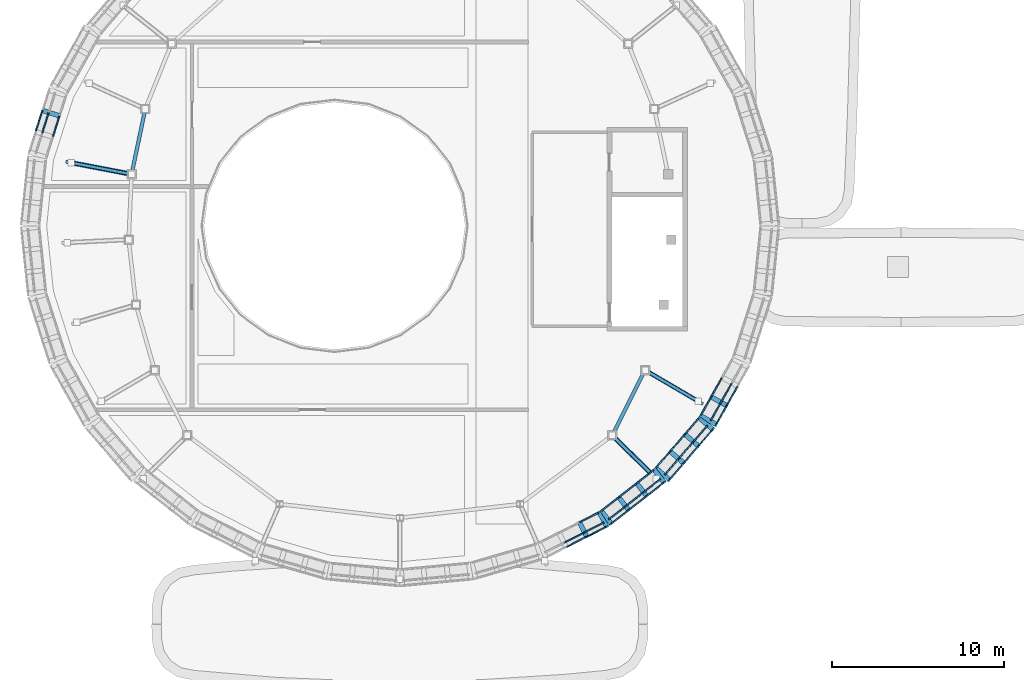
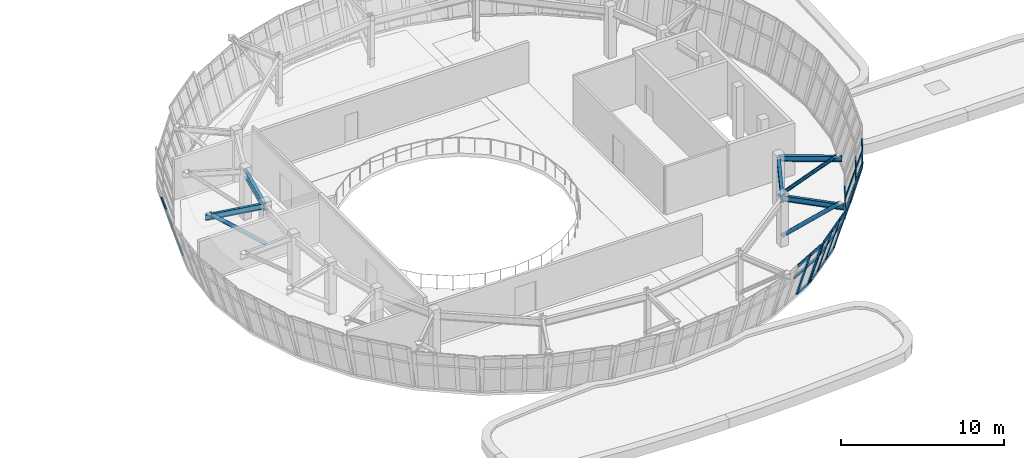
# One storey, part 21 of 111: 48 members, 5 beams, 5 elements without a shape of their own.
"""IFC4 building model written with IfcOpenShell, lengths in metres."""

from ifc_helpers import new_model, si_unit, direction, frame, origin, origin_2d, place, context, subcontext, project, spatial, rectangle, hollow_circle, i_section, extrude, material, material_profile, profile_set, type_object, element, aggregate, save


model = new_model("IFC4")

# Units and contexts
model_context = context("Model", 3, precision=1e-05, world=origin(), true_north=direction((0.0, 1.0)))
body_context = subcontext(model_context, "Body", "Model", "MODEL_VIEW")
ifc_project = project(units=[si_unit("LENGTHUNIT", "METRE"), si_unit("AREAUNIT", "SQUARE_METRE"), si_unit("VOLUMEUNIT", "CUBIC_METRE"), si_unit("PLANEANGLEUNIT", "RADIAN"), si_unit("MASSUNIT", "GRAM", prefix="KILO")], contexts=[model_context])

# Site, building, storey
site_placement = place(None, origin())
site = spatial("IfcSite", under=ifc_project, at=site_placement, CompositionType="ELEMENT")
building_placement = place(site_placement, origin())
building = spatial("IfcBuilding", under=site, at=building_placement, Name="Corveleigh Park Community Centre", CompositionType="ELEMENT")
storey_placement = place(building_placement, frame((0.0, 0.0, 4.800048828125)))
storey = spatial("IfcBuildingStorey", under=building, at=storey_placement, Name="L01", CompositionType="ELEMENT", Elevation=4.800048828125)

# Beams
ifc_material_1 = material(Name="Steel S355", Category="steel")
ifc_material_profile_1 = material_profile(ifc_material_1, i_section(OverallWidth=0.1787109375, OverallDepth=0.409423828125, WebThickness=0.0087890625, FlangeThickness=0.014404296875, at=origin_2d()), Name="UKB 406x178x67", Category="steel")
ifc_profile_set_1 = profile_set([ifc_material_profile_1], Name="Steel S355")
beam_type_1 = type_object("IfcBeamType", Name="BM-STL-UKB406x67", PredefinedType="BEAM", material=ifc_profile_set_1)
beam_1_placement = place(storey_placement, frame((43.373046875, 15.39306640625, 3.482177734375), z_axis=(0.713355146879, -0.700802707202, 0.0), x_axis=(0.700802707202, 0.713355146879, 0.0)))
element("IfcBeam", 1, at=beam_1_placement, inside=storey, type_object=beam_type_1, Name="V1 Drum Overhang Radial Outrigger 4", PredefinedType="BEAM", context=body_context, shape_type="SweptSolid", body=[
    extrude(i_section(OverallWidth=0.1787109375, OverallDepth=0.409423828125, WebThickness=0.0087890625, FlangeThickness=0.014404296875, at=origin_2d()), origin(), (0.0, 0.0, 1.0), 3.889892578125),
])
beam_2_placement = place(storey_placement, frame((45.28369140625, 19.19482421875, 3.482177734375), z_axis=(0.862768775494, -0.505598694652, 0.0), x_axis=(0.505598694652, 0.862768775494, 0.0)))
element("IfcBeam", 2, at=beam_2_placement, inside=storey, type_object=beam_type_1, Name="V1 Drum Overhang Radial Outrigger 5", PredefinedType="BEAM", context=body_context, shape_type="SweptSolid", body=[
    extrude(i_section(OverallWidth=0.1787109375, OverallDepth=0.409423828125, WebThickness=0.0087890625, FlangeThickness=0.014404296875, at=origin_2d()), origin(), (0.0, 0.0, 1.0), 3.89013671875),
])
beam_3_placement = place(storey_placement, frame((15.376220703125, 30.601806640625, 3.482177734375), z_axis=(-0.982171715723, 0.187985959138, 0.0), x_axis=(-0.187985959138, -0.982171715723, 0.0)))
element("IfcBeam", 3, at=beam_3_placement, inside=storey, type_object=beam_type_1, Name="V1 Drum Overhang Radial Outrigger 16", PredefinedType="BEAM", context=body_context, shape_type="SweptSolid", body=[
    extrude(i_section(OverallWidth=0.1787109375, OverallDepth=0.409423828125, WebThickness=0.0087890625, FlangeThickness=0.014404296875, at=origin_2d()), origin(), (0.0, 0.0, 1.0), 3.8896484375),
])
ifc_material_profile_2 = material_profile(ifc_material_1, i_section(OverallWidth=0.210693359375, OverallDepth=0.53955078125, WebThickness=0.01171875, FlangeThickness=0.018798828125, at=origin_2d()), Name="UKB 533x210x109", Category="steel")
ifc_profile_set_2 = profile_set([ifc_material_profile_2], Name="Steel S355")
beam_type_2 = type_object("IfcBeamType", Name="BM-STL-UKB533x109", PredefinedType="BEAM", material=ifc_profile_set_2)
beam_4_placement = place(storey_placement, frame((43.3681640625, 15.404541015625, 3.34228515625), z_axis=(0.448916145361, 0.893573888626, 0.0), x_axis=(-0.893573888626, 0.448916145361, 0.0)))
element("IfcBeam", 4, at=beam_4_placement, inside=storey, type_object=beam_type_2, Name="V1 Drum Ring Girder", PredefinedType="BEAM", context=body_context, shape_type="SweptSolid", body=[
    extrude(i_section(OverallWidth=0.210693359375, OverallDepth=0.53955078125, WebThickness=0.01171875, FlangeThickness=0.018798828125, at=origin_2d()), origin(), (0.0, 0.0, 1.0), 4.242431640625),
])
beam_5_placement = place(storey_placement, frame((16.179931640625, 34.39501953125, 3.34228515625), z_axis=(-0.204790105702, -0.978805911612, 0.0), x_axis=(0.978805911612, -0.204790105702, 0.0)))
element("IfcBeam", 5, at=beam_5_placement, inside=storey, type_object=beam_type_2, Name="V1 Drum Ring Girder", PredefinedType="BEAM", context=body_context, shape_type="SweptSolid", body=[
    extrude(i_section(OverallWidth=0.210693359375, OverallDepth=0.53955078125, WebThickness=0.01171875, FlangeThickness=0.018798828125, at=origin_2d()), origin(), (0.0, 0.0, 1.0), 3.8720703125),
])

# Curtain wall, member
ifc_material_2 = material(Name="Anodised aluminium 6063-T6", Category="aluminium")
curtain_wall_type = type_object("IfcCurtainWallType", Name="CW-SYS-V1-DRUM", PredefinedType="NOTDEFINED", material=ifc_material_2)
curtain_wall_1_placement = place(storey_placement, origin())
curtain_wall_1 = element("IfcCurtainWall", 6, at=curtain_wall_1_placement, inside=storey, type_object=curtain_wall_type, Name="Main Hall Flared Drum CW 176", PredefinedType="NOTDEFINED")
ifc_material_profile_3 = material_profile(ifc_material_2, rectangle(XDim=0.0849609375, YDim=0.27490234375, at=origin_2d()), Name="ALU-M85x275", Category="aluminium")
ifc_profile_set_3 = profile_set([ifc_material_profile_3], Name="Anodised aluminium 6063-T6")
member_type_1 = type_object("IfcMemberType", Name="CWM-85x275", PredefinedType="MULLION", material=ifc_profile_set_3)
member_1_placement = place(storey_placement, frame((11.197998046875, 33.995361328125, 0.0), z_axis=(-0.270633081512, 0.086193007282, 0.958816197551), x_axis=(0.913600188234, -0.290969408609, 0.284027286212)))
member_1 = element("IfcMember", 7, at=member_1_placement, type_object=member_type_1, Name="CW02 mullion 2", PredefinedType="MULLION", context=body_context, shape_type="SweptSolid", body=[
    extrude(rectangle(XDim=0.0849609375, YDim=0.27490234375, at=origin_2d()), origin(), (0.0, 0.0, 1.0), 3.76708984375),
])

# Curtain wall, members
curtain_wall_2_placement = place(storey_placement, origin())
curtain_wall_2 = element("IfcCurtainWall", 8, at=curtain_wall_2_placement, inside=storey, type_object=curtain_wall_type, Name="Main Hall Flared Drum CW 188", PredefinedType="NOTDEFINED")
member_2_placement = place(storey_placement, frame((41.44921875, 10.35107421875, 0.0), z_axis=(0.128877189627, -0.253023625909, 0.958837689458), x_axis=(-0.435183134097, 0.854391803872, 0.283954723987)))
member_2 = element("IfcMember", 9, at=member_2_placement, type_object=member_type_1, Name="CW02 mullion 3", PredefinedType="MULLION", context=body_context, shape_type="SweptSolid", body=[
    extrude(rectangle(XDim=0.0849609375, YDim=0.27490234375, at=origin_2d()), origin(), (0.0, 0.0, 1.0), 3.406005859375),
])
member_3_placement = place(storey_placement, frame((42.607177734375, 10.940673828125, 0.0), z_axis=(0.128809036941, -0.252958871099, 0.958863932753), x_axis=(-0.43510071475, 0.85446322891, 0.283866092489)))
member_3 = element("IfcMember", 10, at=member_3_placement, type_object=member_type_1, Name="CW02 mullion 4", PredefinedType="MULLION", context=body_context, shape_type="SweptSolid", body=[
    extrude(rectangle(XDim=0.0849609375, YDim=0.27490234375, at=origin_2d()), origin(), (0.0, 0.0, 1.0), 3.406005859375),
])

curtain_wall_3_placement = place(storey_placement, origin())
curtain_wall_3 = element("IfcCurtainWall", 11, at=curtain_wall_3_placement, inside=storey, type_object=curtain_wall_type, Name="Main Hall Flared Drum CW 189", PredefinedType="NOTDEFINED")
member_4_placement = place(storey_placement, frame((42.720458984375, 11.01220703125, 0.0), z_axis=(0.17482478956, -0.223709786067, 0.95884838456), x_axis=(-0.59041733402, 0.755511479901, 0.283918607045)))
member_4 = element("IfcMember", 12, at=member_4_placement, type_object=member_type_1, Name="CW02 mullion 1", PredefinedType="MULLION", context=body_context, shape_type="SweptSolid", body=[
    extrude(rectangle(XDim=0.0849609375, YDim=0.27490234375, at=origin_2d()), origin(), (0.0, 0.0, 1.0), 3.406005859375),
])
member_5_placement = place(storey_placement, frame((43.734375, 11.8046875, 0.0), z_axis=(0.17482478956, -0.223709786067, 0.95884838456), x_axis=(-0.59041733402, 0.755511479901, 0.283918607045)))
member_5 = element("IfcMember", 13, at=member_5_placement, type_object=member_type_1, Name="CW02 mullion 2", PredefinedType="MULLION", context=body_context, shape_type="SweptSolid", body=[
    extrude(rectangle(XDim=0.0849609375, YDim=0.27490234375, at=origin_2d()), origin(), (0.0, 0.0, 1.0), 3.406005859375),
])
member_6_placement = place(storey_placement, frame((44.78173828125, 12.623291015625, 0.0), z_axis=(0.17482759254, -0.223641692795, 0.958863757856), x_axis=(-0.590544266874, 0.755431780503, 0.283866683268)))
member_6 = element("IfcMember", 14, at=member_6_placement, type_object=member_type_1, Name="CW02 mullion 3", PredefinedType="MULLION", context=body_context, shape_type="SweptSolid", body=[
    extrude(rectangle(XDim=0.0849609375, YDim=0.27490234375, at=origin_2d()), origin(), (0.0, 0.0, 1.0), 3.406005859375),
])
member_7_placement = place(storey_placement, frame((45.79541015625, 13.415771484375, 0.0), z_axis=(0.174897080386, -0.223638889674, 0.958851739477), x_axis=(-0.59068711366, 0.755304833861, 0.283907276592)))
member_7 = element("IfcMember", 15, at=member_7_placement, type_object=member_type_1, Name="CW02 mullion 4", PredefinedType="MULLION", context=body_context, shape_type="SweptSolid", body=[
    extrude(rectangle(XDim=0.0849609375, YDim=0.27490234375, at=origin_2d()), origin(), (0.0, 0.0, 1.0), 3.406005859375),
])

curtain_wall_4_placement = place(storey_placement, origin())
curtain_wall_4 = element("IfcCurtainWall", 16, at=curtain_wall_4_placement, inside=storey, type_object=curtain_wall_type, Name="Main Hall Flared Drum CW 190", PredefinedType="NOTDEFINED")
member_8_placement = place(storey_placement, frame((45.893798828125, 13.51025390625, 0.0), z_axis=(0.215155968632, -0.185474813923, 0.958804986721), x_axis=(-0.726215908551, 0.626033111528, 0.284065128867)))
member_8 = element("IfcMember", 17, at=member_8_placement, type_object=member_type_1, Name="CW02 mullion 1", PredefinedType="MULLION", context=body_context, shape_type="SweptSolid", body=[
    extrude(rectangle(XDim=0.0849609375, YDim=0.27490234375, at=origin_2d()), origin(), (0.0, 0.0, 1.0), 3.767333984375),
])
member_9_placement = place(storey_placement, frame((46.725341796875, 14.47509765625, 0.0), z_axis=(0.215155968632, -0.185474813923, 0.958804986721), x_axis=(-0.726215908551, 0.626033111528, 0.284065128867)))
member_9 = element("IfcMember", 18, at=member_9_placement, type_object=member_type_1, Name="CW02 mullion 2", PredefinedType="MULLION", context=body_context, shape_type="SweptSolid", body=[
    extrude(rectangle(XDim=0.0849609375, YDim=0.27490234375, at=origin_2d()), origin(), (0.0, 0.0, 1.0), 3.767333984375),
])
member_10_placement = place(storey_placement, frame((47.584716796875, 15.471923828125, 0.0), z_axis=(0.215158554377, -0.185412236166, 0.95881650964), x_axis=(-0.726332818597, 0.625915118676, 0.284026232665)))
member_10 = element("IfcMember", 19, at=member_10_placement, type_object=member_type_1, Name="CW02 mullion 3", PredefinedType="MULLION", context=body_context, shape_type="SweptSolid", body=[
    extrude(rectangle(XDim=0.0849609375, YDim=0.27490234375, at=origin_2d()), origin(), (0.0, 0.0, 1.0), 3.76708984375),
])
member_11_placement = place(storey_placement, frame((48.416259765625, 16.436767578125, 0.0), z_axis=(0.215158554377, -0.185412236166, 0.95881650964), x_axis=(-0.726332818597, 0.625915118676, 0.284026232665)))
member_11 = element("IfcMember", 20, at=member_11_placement, type_object=member_type_1, Name="CW02 mullion 4", PredefinedType="MULLION", context=body_context, shape_type="SweptSolid", body=[
    extrude(rectangle(XDim=0.0849609375, YDim=0.27490234375, at=origin_2d()), origin(), (0.0, 0.0, 1.0), 3.76708984375),
])

curtain_wall_5_placement = place(storey_placement, origin())
curtain_wall_5 = element("IfcCurtainWall", 21, at=curtain_wall_5_placement, inside=storey, type_object=curtain_wall_type, Name="Main Hall Flared Drum CW 191", PredefinedType="NOTDEFINED")
member_12_placement = place(storey_placement, frame((48.494873046875, 16.549072265625, 0.0), z_axis=(0.247691050808, -0.139010283617, 0.958814520331), x_axis=(-0.836134602223, 0.469259215534, 0.284032948092)))
member_12 = element("IfcMember", 22, at=member_12_placement, type_object=member_type_1, Name="CW02 mullion 1", PredefinedType="MULLION", context=body_context, shape_type="SweptSolid", body=[
    extrude(rectangle(XDim=0.0849609375, YDim=0.27490234375, at=origin_2d()), origin(), (0.0, 0.0, 1.0), 3.767333984375),
])
member_13_placement = place(storey_placement, frame((49.112060546875, 17.64892578125, 0.0), z_axis=(0.247693281715, -0.138946728414, 0.958823156195), x_axis=(-0.836235497404, 0.469097045116, 0.284003794242)))
member_13 = element("IfcMember", 23, at=member_13_placement, type_object=member_type_1, Name="CW02 mullion 2", PredefinedType="MULLION", context=body_context, shape_type="SweptSolid", body=[
    extrude(rectangle(XDim=0.0849609375, YDim=0.27490234375, at=origin_2d()), origin(), (0.0, 0.0, 1.0), 3.76708984375),
])

# Member
ifc_material_profile_4 = material_profile(ifc_material_2, rectangle(XDim=0.080078125, YDim=0.195068359375, at=origin_2d()), Name="ALU-T80x195", Category="aluminium")
ifc_profile_set_4 = profile_set([ifc_material_profile_4], Name="Anodised aluminium 6063-T6")
member_type_2 = type_object("IfcMemberType", Name="CWT-80x195", PredefinedType="USERDEFINED", material=ifc_profile_set_4)
member_14_placement = place(storey_placement, frame((11.173828125, 33.95849609375, 0.0400390625), z_axis=(-0.303486826379, -0.952835634417, 0.0), x_axis=(0.952835634417, -0.303486826379, 0.0)))
member_14 = element("IfcMember", 24, at=member_14_placement, type_object=member_type_2, Name="CW02 transom 2.1", ObjectType="TRANSOM", PredefinedType="USERDEFINED", context=body_context, shape_type="SweptSolid", body=[
    extrude(rectangle(XDim=0.080078125, YDim=0.195068359375, at=origin_2d()), origin(), (0.0, 0.0, 1.0), 1.2099609375),
])

member_15_placement = place(storey_placement, frame((10.550048828125, 34.1572265625, 2.25), z_axis=(-0.303486826379, -0.952835634417, 0.0), x_axis=(0.952835634417, -0.303486826379, 0.0)))
member_15 = element("IfcMember", 25, at=member_15_placement, type_object=member_type_2, Name="CW02 transom 2.2", ObjectType="TRANSOM", PredefinedType="USERDEFINED", context=body_context, shape_type="SweptSolid", body=[
    extrude(rectangle(XDim=0.080078125, YDim=0.195068359375, at=origin_2d()), origin(), (0.0, 0.0, 1.0), 1.2099609375),
])

member_16_placement = place(storey_placement, frame((10.1767578125, 34.276123046875, 3.572021484375), z_axis=(-0.303486826379, -0.952835634417, 0.0), x_axis=(0.952835634417, -0.303486826379, 0.0)))
member_16 = element("IfcMember", 26, at=member_16_placement, type_object=member_type_2, Name="CW02 transom 2.3", ObjectType="TRANSOM", PredefinedType="USERDEFINED", context=body_context, shape_type="SweptSolid", body=[
    extrude(rectangle(XDim=0.080078125, YDim=0.195068359375, at=origin_2d()), origin(), (0.0, 0.0, 1.0), 1.2099609375),
])

aggregate(curtain_wall_1, [member_1, member_14, member_15, member_16])

member_17_placement = place(storey_placement, frame((40.593994140625, 9.167724609375, 2.25), z_axis=(0.89110027264, 0.453806461061, 0.0), x_axis=(-0.453806461061, 0.89110027264, 0.0)))
member_17 = element("IfcMember", 27, at=member_17_placement, type_object=member_type_2, Name="CW02 transom 2.2", ObjectType="TRANSOM", PredefinedType="USERDEFINED", context=body_context, shape_type="SweptSolid", body=[
    extrude(rectangle(XDim=0.080078125, YDim=0.195068359375, at=origin_2d()), origin(), (0.0, 0.0, 1.0), 1.2568359375),
])

member_18_placement = place(storey_placement, frame((40.72509765625, 8.91015625, 3.225830078125), z_axis=(0.891021707372, 0.453960699832, 0.0), x_axis=(-0.453960699832, 0.891021707372, 0.0)))
member_18 = element("IfcMember", 28, at=member_18_placement, type_object=member_type_2, Name="CW02 transom 2.3", ObjectType="TRANSOM", PredefinedType="USERDEFINED", context=body_context, shape_type="SweptSolid", body=[
    extrude(rectangle(XDim=0.080078125, YDim=0.195068359375, at=origin_2d()), origin(), (0.0, 0.0, 1.0), 1.2568359375),
])

member_19_placement = place(storey_placement, frame((41.49267578125, 10.359619140625, 0.0400390625), z_axis=(0.891024153867, 0.453955897886, 0.0), x_axis=(-0.453955897886, 0.891024153867, 0.0)))
member_19 = element("IfcMember", 29, at=member_19_placement, type_object=member_type_2, Name="CW02 transom 3.1", ObjectType="TRANSOM", PredefinedType="USERDEFINED", context=body_context, shape_type="SweptSolid", body=[
    extrude(rectangle(XDim=0.080078125, YDim=0.195068359375, at=origin_2d()), origin(), (0.0, 0.0, 1.0), 1.21435546875),
])

member_20_placement = place(storey_placement, frame((41.78955078125, 9.776611328125, 2.25), z_axis=(0.891024153867, 0.453955897886, 0.0), x_axis=(-0.453955897886, 0.891024153867, 0.0)))
member_20 = element("IfcMember", 30, at=member_20_placement, type_object=member_type_2, Name="CW02 transom 3.2", ObjectType="TRANSOM", PredefinedType="USERDEFINED", context=body_context, shape_type="SweptSolid", body=[
    extrude(rectangle(XDim=0.080078125, YDim=0.195068359375, at=origin_2d()), origin(), (0.0, 0.0, 1.0), 1.21435546875),
])

member_21_placement = place(storey_placement, frame((41.920654296875, 9.519287109375, 3.225830078125), z_axis=(0.891105466146, 0.453796262882, 0.0), x_axis=(-0.453796262882, 0.891105466146, 0.0)))
member_21 = element("IfcMember", 31, at=member_21_placement, type_object=member_type_2, Name="CW02 transom 3.3", ObjectType="TRANSOM", PredefinedType="USERDEFINED", context=body_context, shape_type="SweptSolid", body=[
    extrude(rectangle(XDim=0.080078125, YDim=0.195068359375, at=origin_2d()), origin(), (0.0, 0.0, 1.0), 1.21435546875),
])

aggregate(curtain_wall_2, [member_2, member_3, member_17, member_18, member_19, member_20, member_21])

member_22_placement = place(storey_placement, frame((42.76123046875, 11.029052734375, 0.0400390625), z_axis=(0.787972015739, 0.61571105432, 0.0), x_axis=(-0.61571105432, 0.787972015739, 0.0)))
member_22 = element("IfcMember", 32, at=member_22_placement, type_object=member_type_2, Name="CW02 transom 1.1", ObjectType="TRANSOM", PredefinedType="USERDEFINED", context=body_context, shape_type="SweptSolid", body=[
    extrude(rectangle(XDim=0.080078125, YDim=0.195068359375, at=origin_2d()), origin(), (0.0, 0.0, 1.0), 1.201904296875),
])

member_23_placement = place(storey_placement, frame((43.164306640625, 10.513427734375, 2.25), z_axis=(0.787796412937, 0.615935720481, 0.0), x_axis=(-0.615935720481, 0.787796412937, 0.0)))
member_23 = element("IfcMember", 33, at=member_23_placement, type_object=member_type_2, Name="CW02 transom 1.2", ObjectType="TRANSOM", PredefinedType="USERDEFINED", context=body_context, shape_type="SweptSolid", body=[
    extrude(rectangle(XDim=0.080078125, YDim=0.195068359375, at=origin_2d()), origin(), (0.0, 0.0, 1.0), 1.201904296875),
])

member_24_placement = place(storey_placement, frame((43.34228515625, 10.285888671875, 3.225830078125), z_axis=(0.787894987637, 0.615809620301, 0.0), x_axis=(-0.615809620301, 0.787894987637, 0.0)))
member_24 = element("IfcMember", 34, at=member_24_placement, type_object=member_type_2, Name="CW02 transom 1.3", ObjectType="TRANSOM", PredefinedType="USERDEFINED", context=body_context, shape_type="SweptSolid", body=[
    extrude(rectangle(XDim=0.080078125, YDim=0.195068359375, at=origin_2d()), origin(), (0.0, 0.0, 1.0), 1.20166015625),
])

member_25_placement = place(storey_placement, frame((43.775146484375, 11.821533203125, 0.0400390625), z_axis=(0.787807166322, 0.615921966398, 0.0), x_axis=(-0.615921966398, 0.787807166322, 0.0)))
member_25 = element("IfcMember", 35, at=member_25_placement, type_object=member_type_2, Name="CW02 transom 2.1", ObjectType="TRANSOM", PredefinedType="USERDEFINED", context=body_context, shape_type="SweptSolid", body=[
    extrude(rectangle(XDim=0.080078125, YDim=0.195068359375, at=origin_2d()), origin(), (0.0, 0.0, 1.0), 1.244140625),
])

member_26_placement = place(storey_placement, frame((44.177978515625, 11.305908203125, 2.25), z_axis=(0.787881585535, 0.61582676718, 0.0), x_axis=(-0.61582676718, 0.787881585535, 0.0)))
member_26 = element("IfcMember", 36, at=member_26_placement, type_object=member_type_2, Name="CW02 transom 2.2", ObjectType="TRANSOM", PredefinedType="USERDEFINED", context=body_context, shape_type="SweptSolid", body=[
    extrude(rectangle(XDim=0.080078125, YDim=0.195068359375, at=origin_2d()), origin(), (0.0, 0.0, 1.0), 1.244384765625),
])

member_27_placement = place(storey_placement, frame((44.35595703125, 11.078369140625, 3.225830078125), z_axis=(0.787881585535, 0.61582676718, 0.0), x_axis=(-0.61582676718, 0.787881585535, 0.0)))
member_27 = element("IfcMember", 37, at=member_27_placement, type_object=member_type_2, Name="CW02 transom 2.3", ObjectType="TRANSOM", PredefinedType="USERDEFINED", context=body_context, shape_type="SweptSolid", body=[
    extrude(rectangle(XDim=0.080078125, YDim=0.195068359375, at=origin_2d()), origin(), (0.0, 0.0, 1.0), 1.244384765625),
])

member_28_placement = place(storey_placement, frame((44.822509765625, 12.64013671875, 0.0400390625), z_axis=(0.787796412937, 0.615935720481, 0.0), x_axis=(-0.615935720481, 0.787796412937, 0.0)))
member_28 = element("IfcMember", 38, at=member_28_placement, type_object=member_type_2, Name="CW02 transom 3.1", ObjectType="TRANSOM", PredefinedType="USERDEFINED", context=body_context, shape_type="SweptSolid", body=[
    extrude(rectangle(XDim=0.080078125, YDim=0.195068359375, at=origin_2d()), origin(), (0.0, 0.0, 1.0), 1.201904296875),
])

member_29_placement = place(storey_placement, frame((45.225341796875, 12.124755859375, 2.25), z_axis=(0.787972015739, 0.61571105432, 0.0), x_axis=(-0.61571105432, 0.787972015739, 0.0)))
member_29 = element("IfcMember", 39, at=member_29_placement, type_object=member_type_2, Name="CW02 transom 3.2", ObjectType="TRANSOM", PredefinedType="USERDEFINED", context=body_context, shape_type="SweptSolid", body=[
    extrude(rectangle(XDim=0.080078125, YDim=0.195068359375, at=origin_2d()), origin(), (0.0, 0.0, 1.0), 1.201904296875),
])

member_30_placement = place(storey_placement, frame((45.4033203125, 11.89697265625, 3.225830078125), z_axis=(0.787873462952, 0.615837158977, 0.0), x_axis=(-0.615837158977, 0.787873462952, 0.0)))
member_30 = element("IfcMember", 40, at=member_30_placement, type_object=member_type_2, Name="CW02 transom 3.3", ObjectType="TRANSOM", PredefinedType="USERDEFINED", context=body_context, shape_type="SweptSolid", body=[
    extrude(rectangle(XDim=0.080078125, YDim=0.195068359375, at=origin_2d()), origin(), (0.0, 0.0, 1.0), 1.201904296875),
])

aggregate(curtain_wall_3, [member_4, member_5, member_6, member_7, member_22, member_23, member_24, member_25, member_26, member_27, member_28, member_29, member_30])

member_31_placement = place(storey_placement, frame((45.930419921875, 13.53466796875, 0.0400390625), z_axis=(0.652903056382, 0.757441482207, 0.0), x_axis=(-0.757441482207, 0.652903056382, 0.0)))
member_31 = element("IfcMember", 41, at=member_31_placement, type_object=member_type_2, Name="CW02 transom 1.1", ObjectType="TRANSOM", PredefinedType="USERDEFINED", context=body_context, shape_type="SweptSolid", body=[
    extrude(rectangle(XDim=0.080078125, YDim=0.195068359375, at=origin_2d()), origin(), (0.0, 0.0, 1.0), 1.188720703125),
])

member_32_placement = place(storey_placement, frame((46.42626953125, 13.107177734375, 2.25), z_axis=(0.652903056382, 0.757441482207, 0.0), x_axis=(-0.757441482207, 0.652903056382, 0.0)))
member_32 = element("IfcMember", 42, at=member_32_placement, type_object=member_type_2, Name="CW02 transom 1.2", ObjectType="TRANSOM", PredefinedType="USERDEFINED", context=body_context, shape_type="SweptSolid", body=[
    extrude(rectangle(XDim=0.080078125, YDim=0.195068359375, at=origin_2d()), origin(), (0.0, 0.0, 1.0), 1.188720703125),
])

member_33_placement = place(storey_placement, frame((46.722900390625, 12.8515625, 3.572021484375), z_axis=(0.652903056382, 0.757441482207, 0.0), x_axis=(-0.757441482207, 0.652903056382, 0.0)))
member_33 = element("IfcMember", 43, at=member_33_placement, type_object=member_type_2, Name="CW02 transom 1.3", ObjectType="TRANSOM", PredefinedType="USERDEFINED", context=body_context, shape_type="SweptSolid", body=[
    extrude(rectangle(XDim=0.080078125, YDim=0.195068359375, at=origin_2d()), origin(), (0.0, 0.0, 1.0), 1.188720703125),
])

member_34_placement = place(storey_placement, frame((46.761962890625, 14.49951171875, 0.0400390625), z_axis=(0.65292785518, 0.757420105311, 0.0), x_axis=(-0.757420105311, 0.65292785518, 0.0)))
member_34 = element("IfcMember", 44, at=member_34_placement, type_object=member_type_2, Name="CW02 transom 2.1", ObjectType="TRANSOM", PredefinedType="USERDEFINED", context=body_context, shape_type="SweptSolid", body=[
    extrude(rectangle(XDim=0.080078125, YDim=0.195068359375, at=origin_2d()), origin(), (0.0, 0.0, 1.0), 1.231201171875),
])

member_35_placement = place(storey_placement, frame((47.258056640625, 14.072021484375, 2.25), z_axis=(0.65281408421, 0.75751816576, 0.0), x_axis=(-0.75751816576, 0.65281408421, 0.0)))
member_35 = element("IfcMember", 45, at=member_35_placement, type_object=member_type_2, Name="CW02 transom 2.2", ObjectType="TRANSOM", PredefinedType="USERDEFINED", context=body_context, shape_type="SweptSolid", body=[
    extrude(rectangle(XDim=0.080078125, YDim=0.195068359375, at=origin_2d()), origin(), (0.0, 0.0, 1.0), 1.231201171875),
])

member_36_placement = place(storey_placement, frame((47.5546875, 13.81640625, 3.572021484375), z_axis=(0.65281408421, 0.75751816576, 0.0), x_axis=(-0.75751816576, 0.65281408421, 0.0)))
member_36 = element("IfcMember", 46, at=member_36_placement, type_object=member_type_2, Name="CW02 transom 2.3", ObjectType="TRANSOM", PredefinedType="USERDEFINED", context=body_context, shape_type="SweptSolid", body=[
    extrude(rectangle(XDim=0.080078125, YDim=0.195068359375, at=origin_2d()), origin(), (0.0, 0.0, 1.0), 1.231201171875),
])

member_37_placement = place(storey_placement, frame((47.621337890625, 15.496337890625, 0.0400390625), z_axis=(0.652801498532, 0.757529011665, 0.0), x_axis=(-0.757529011665, 0.652801498532, 0.0)))
member_37 = element("IfcMember", 47, at=member_37_placement, type_object=member_type_2, Name="CW02 transom 3.1", ObjectType="TRANSOM", PredefinedType="USERDEFINED", context=body_context, shape_type="SweptSolid", body=[
    extrude(rectangle(XDim=0.080078125, YDim=0.195068359375, at=origin_2d()), origin(), (0.0, 0.0, 1.0), 1.18896484375),
])

member_38_placement = place(storey_placement, frame((48.1171875, 15.069091796875, 2.25), z_axis=(0.652903056382, 0.757441482207, 0.0), x_axis=(-0.757441482207, 0.652903056382, 0.0)))
member_38 = element("IfcMember", 48, at=member_38_placement, type_object=member_type_2, Name="CW02 transom 3.2", ObjectType="TRANSOM", PredefinedType="USERDEFINED", context=body_context, shape_type="SweptSolid", body=[
    extrude(rectangle(XDim=0.080078125, YDim=0.195068359375, at=origin_2d()), origin(), (0.0, 0.0, 1.0), 1.188720703125),
])

member_39_placement = place(storey_placement, frame((48.413818359375, 14.813232421875, 3.572021484375), z_axis=(0.652801498532, 0.757529011665, 0.0), x_axis=(-0.757529011665, 0.652801498532, 0.0)))
member_39 = element("IfcMember", 49, at=member_39_placement, type_object=member_type_2, Name="CW02 transom 3.3", ObjectType="TRANSOM", PredefinedType="USERDEFINED", context=body_context, shape_type="SweptSolid", body=[
    extrude(rectangle(XDim=0.080078125, YDim=0.195068359375, at=origin_2d()), origin(), (0.0, 0.0, 1.0), 1.18896484375),
])

aggregate(curtain_wall_4, [member_8, member_9, member_10, member_11, member_31, member_32, member_33, member_34, member_35, member_36, member_37, member_38, member_39])

member_40_placement = place(storey_placement, frame((48.52587890625, 16.580322265625, 0.0400390625), z_axis=(0.489374177373, 0.872073915743, 0.0), x_axis=(-0.872073915743, 0.489374177373, 0.0)))
member_40 = element("IfcMember", 50, at=member_40_placement, type_object=member_type_2, Name="CW02 transom 1.1", ObjectType="TRANSOM", PredefinedType="USERDEFINED", context=body_context, shape_type="SweptSolid", body=[
    extrude(rectangle(XDim=0.080078125, YDim=0.195068359375, at=origin_2d()), origin(), (0.0, 0.0, 1.0), 1.17626953125),
])

member_41_placement = place(storey_placement, frame((49.096923828125, 16.260009765625, 2.25), z_axis=(0.489216318136, 0.872162481462, 0.0), x_axis=(-0.872162481462, 0.489216318136, 0.0)))
member_41 = element("IfcMember", 51, at=member_41_placement, type_object=member_type_2, Name="CW02 transom 1.2", ObjectType="TRANSOM", PredefinedType="USERDEFINED", context=body_context, shape_type="SweptSolid", body=[
    extrude(rectangle(XDim=0.080078125, YDim=0.195068359375, at=origin_2d()), origin(), (0.0, 0.0, 1.0), 1.17626953125),
])

member_42_placement = place(storey_placement, frame((49.4384765625, 16.068359375, 3.572021484375), z_axis=(0.489216318136, 0.872162481462, 0.0), x_axis=(-0.872162481462, 0.489216318136, 0.0)))
member_42 = element("IfcMember", 52, at=member_42_placement, type_object=member_type_2, Name="CW02 transom 1.3", ObjectType="TRANSOM", PredefinedType="USERDEFINED", context=body_context, shape_type="SweptSolid", body=[
    extrude(rectangle(XDim=0.080078125, YDim=0.195068359375, at=origin_2d()), origin(), (0.0, 0.0, 1.0), 1.17626953125),
])

member_43_placement = place(storey_placement, frame((49.14306640625, 17.68017578125, 0.0400390625), z_axis=(0.489329007134, 0.872099261998, 0.0), x_axis=(-0.872099261998, 0.489329007134, 0.0)))
member_43 = element("IfcMember", 53, at=member_43_placement, type_object=member_type_2, Name="CW02 transom 2.1", ObjectType="TRANSOM", PredefinedType="USERDEFINED", context=body_context, shape_type="SweptSolid", body=[
    extrude(rectangle(XDim=0.080078125, YDim=0.195068359375, at=origin_2d()), origin(), (0.0, 0.0, 1.0), 1.218994140625),
])

member_44_placement = place(storey_placement, frame((49.714111328125, 17.35986328125, 2.25), z_axis=(0.489329007134, 0.872099261998, 0.0), x_axis=(-0.872099261998, 0.489329007134, 0.0)))
member_44 = element("IfcMember", 54, at=member_44_placement, type_object=member_type_2, Name="CW02 transom 2.2", ObjectType="TRANSOM", PredefinedType="USERDEFINED", context=body_context, shape_type="SweptSolid", body=[
    extrude(rectangle(XDim=0.080078125, YDim=0.195068359375, at=origin_2d()), origin(), (0.0, 0.0, 1.0), 1.218994140625),
])

member_45_placement = place(storey_placement, frame((50.0556640625, 17.168212890625, 3.572021484375), z_axis=(0.489329007134, 0.872099261998, 0.0), x_axis=(-0.872099261998, 0.489329007134, 0.0)))
member_45 = element("IfcMember", 55, at=member_45_placement, type_object=member_type_2, Name="CW02 transom 2.3", ObjectType="TRANSOM", PredefinedType="USERDEFINED", context=body_context, shape_type="SweptSolid", body=[
    extrude(rectangle(XDim=0.080078125, YDim=0.195068359375, at=origin_2d()), origin(), (0.0, 0.0, 1.0), 1.218994140625),
])

aggregate(curtain_wall_5, [member_12, member_13, member_40, member_41, member_42, member_43, member_44, member_45])

# Members
ifc_material_profile_5 = material_profile(ifc_material_1, hollow_circle(Radius=0.122314453125, WallThickness=0.012451171875, at=origin_2d()), Name="CHS 244.5x12.5", Category="steel")
ifc_profile_set_5 = profile_set([ifc_material_profile_5], Name="Steel S355")
member_type_3 = type_object("IfcMemberType", Name="MEM-STR-CHS245", PredefinedType="STRUT", material=ifc_profile_set_5)
member_46_placement = place(storey_placement, frame((45.27490234375, 19.199951171875, 0.64990234375), z_axis=(0.659242585969, -0.38623028022, 0.645155317336), x_axis=(0.505502974693, 0.862824862053, 0.0)))
element("IfcMember", 56, at=member_46_placement, inside=storey, type_object=member_type_3, Name="V1 Conical Overhang Raking Strut 5", PredefinedType="STRUT", context=body_context, shape_type="SweptSolid", body=[
    extrude(hollow_circle(Radius=0.122314453125, WallThickness=0.012451171875, at=origin_2d()), origin(), (0.0, 0.0, 1.0), 4.696533203125),
])
ifc_material_profile_6 = material_profile(ifc_material_1, hollow_circle(Radius=0.136474609375, WallThickness=0.012451171875, at=origin_2d()), Name="CHS 273.0x12.5", Category="steel")
ifc_profile_set_6 = profile_set([ifc_material_profile_6], Name="Steel S355")
member_type_4 = type_object("IfcMemberType", Name="MEM-STR-CHS273E", PredefinedType="STRUT", material=ifc_profile_set_6)
member_47_placement = place(storey_placement, frame((43.365966796875, 15.39990234375, 0.64990234375), z_axis=(0.544982242551, -0.535363685513, 0.645275196747), x_axis=(0.700783480172, 0.713374035074, 0.0)))
element("IfcMember", 57, at=member_47_placement, inside=storey, type_object=member_type_4, Name="V1 Conical Overhang Raking Strut 4", PredefinedType="STRUT", context=body_context, shape_type="SweptSolid", body=[
    extrude(hollow_circle(Radius=0.136474609375, WallThickness=0.012451171875, at=origin_2d()), origin(), (0.0, 0.0, 1.0), 4.69580078125),
])
member_48_placement = place(storey_placement, frame((15.385986328125, 30.60009765625, 0.64990234375), z_axis=(-0.750397179741, 0.143487336572, 0.645225121086), x_axis=(-0.18781249318, -0.982204900927, 0.0)))
element("IfcMember", 58, at=member_48_placement, inside=storey, type_object=member_type_4, Name="V1 Conical Overhang Raking Strut 16", PredefinedType="STRUT", context=body_context, shape_type="SweptSolid", body=[
    extrude(hollow_circle(Radius=0.136474609375, WallThickness=0.012451171875, at=origin_2d()), origin(), (0.0, 0.0, 1.0), 4.696044921875),
])

save(model, "model.ifc")
